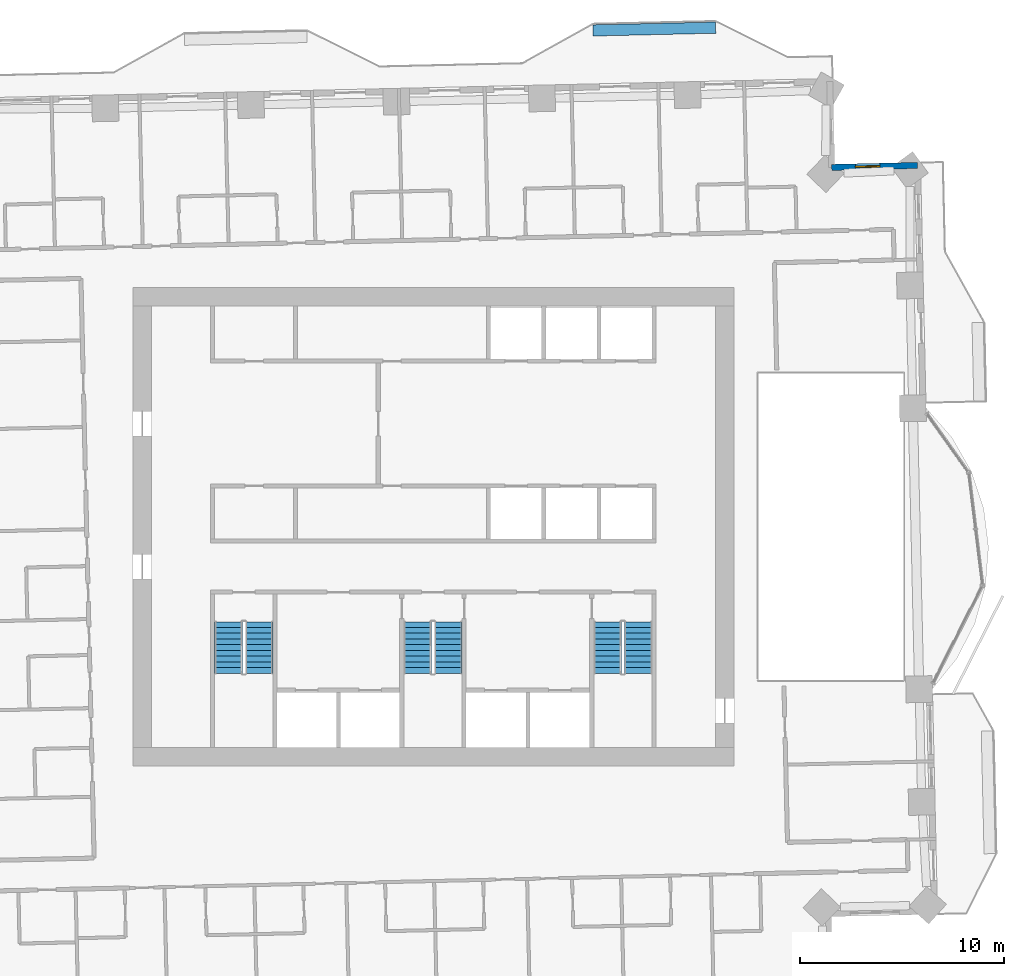
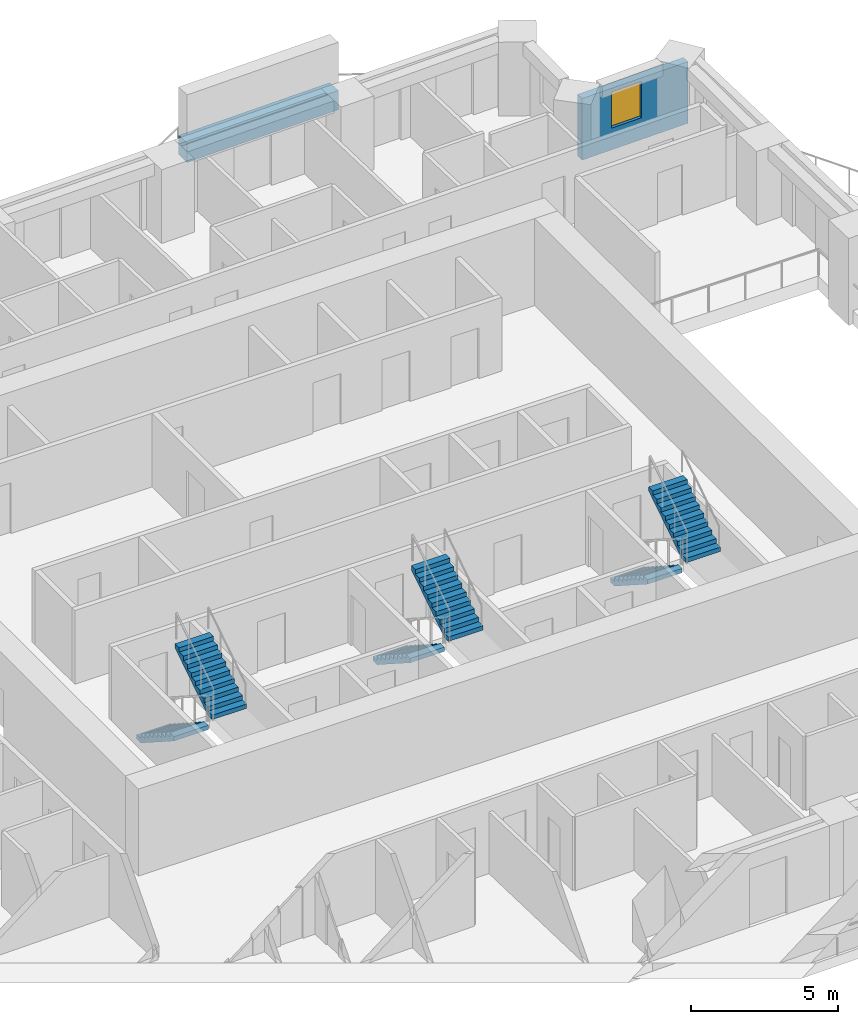
# One storey, part 12 of 16: 6 stair flights, 2 walls, 1 window, 1 opening, 3 elements without a shape of their own.
"""IFC4 building model written with IfcOpenShell, lengths in metres."""

from ifc_helpers import new_model, si_unit, direction, frame, frame_2d, origin, place, context, subcontext, project, spatial, polyline, rectangle, outline, extrude, material, layer, layer_set, type_object, element, fill, aggregate, save


model = new_model("IFC4")

# Units and contexts
model_context = context("Model", 3, precision=1e-05, world=origin(), true_north=direction((0.0, 1.0)))
body_context = subcontext(model_context, "Body", "Model", "MODEL_VIEW")
ifc_project = project(units=[si_unit("LENGTHUNIT", "METRE"), si_unit("AREAUNIT", "SQUARE_METRE"), si_unit("VOLUMEUNIT", "CUBIC_METRE"), si_unit("PLANEANGLEUNIT", "RADIAN"), si_unit("MASSUNIT", "GRAM", prefix="KILO")], contexts=[model_context])

# Site, building, storey
site_placement = place(None, origin())
site = spatial("IfcSite", under=ifc_project, at=site_placement, CompositionType="ELEMENT")
building_placement = place(site_placement, origin())
building = spatial("IfcBuilding", under=site, at=building_placement, Name="Mangrove Gate Tower", CompositionType="ELEMENT")
storey_placement = place(building_placement, frame((0.0, 0.0, 144.5)))
storey = spatial("IfcBuildingStorey", under=building, at=storey_placement, Name="L36", CompositionType="ELEMENT", Elevation=144.5)

# Wall, opening, window
ifc_material_1 = material(Name="Limestone", Category="masonry")
ifc_layer_1 = layer(ifc_material_1, 0.0400390625, Name="Limestone cladding")
ifc_material_2 = material(Name="Ventilated air gap")
ifc_layer_2 = layer(ifc_material_2, 0.0400390625, Name="Ventilated cavity")
ifc_material_3 = material(Name="Mineral wool insulation")
ifc_layer_3 = layer(ifc_material_3, 0.06005859375, Name="Insulation")
ifc_material_4 = material(Name="Breather membrane")
ifc_layer_4 = layer(ifc_material_4, 0.001953125, Name="Breather membrane")
ifc_material_5 = material(Name="Concrete C20/25 blockwork", Category="masonry")
ifc_layer_5 = layer(ifc_material_5, 0.14990234375, Name="Blockwork backing wall")
ifc_material_6 = material(Name="Gypsum plaster")
ifc_layer_6 = layer(ifc_material_6, 0.008056640625, Name="Internal plaster")
ifc_layer_set_1 = layer_set([ifc_layer_1, ifc_layer_2, ifc_layer_3, ifc_layer_4, ifc_layer_5, ifc_layer_6], Name="External wall 300 limestone cladding")
wall_type_1 = type_object("IfcWallType", Name="External wall 300 limestone cladding", PredefinedType="SOLIDWALL", material=ifc_layer_set_1)
wall_1_placement = place(storey_placement, frame((23.68994140625, 17.678955078125, 0.0), z_axis=(0.0, 0.0, 1.0), x_axis=(-0.999739037152, -0.022844202663, 0.0)))
wall_1 = element("IfcWall", 1, at=wall_1_placement, inside=storey, type_object=wall_type_1, Name="WALL-L36-N3", PredefinedType="SOLIDWALL", context=body_context, shape_type="SweptSolid", body=[
    extrude(rectangle(XDim=4.199951171875, YDim=0.300048828125, at=frame_2d((2.10009765625, 0.0))), origin(), (0.0, 0.0, 1.0), 2.550048828125),
])
opening_placement = place(wall_1_placement, frame((1.839111328125, 0.0, 0.89990234375)))
opening = element("IfcOpeningElement", 2, at=opening_placement, cuts=wall_1, Name="Opening W1", PredefinedType="OPENING", context=body_context, shape_type="SweptSolid", body=[
    extrude(rectangle(XDim=1.199951171875, YDim=1.5, at=frame_2d((0.60009765625, 0.75))), frame((0.0, 0.159912109375, 0.0), z_axis=(0.0, -1.0, 0.0), x_axis=(1.0, 0.0, 0.0)), (0.0, 0.0, 1.0), 0.320068359375),
])
ifc_material_7 = material(Name="Aluminium frame with double-glazed low-e glass", Category="aluminium")
window_type = type_object("IfcWindowType", Name="Side lite 1200x1500", PartitioningType="SINGLE_PANEL", PredefinedType="WINDOW", material=ifc_material_7)
window_placement = place(opening_placement, origin())
window = element("IfcWindow", 3, at=window_placement, inside=storey, type_object=window_type, Name="WIN-L36-N3-1", OverallHeight=1.5, OverallWidth=1.199951171875, PartitioningType="SINGLE_PANEL", PredefinedType="WINDOW", context=body_context, shape_type="SweptSolid", body=[
    extrude(rectangle(XDim=1.199951171875, YDim=1.5, at=frame_2d((0.60009765625, 0.75))), frame((0.0, 0.030029296875, 0.0), z_axis=(0.0, -1.0, 0.0), x_axis=(1.0, 0.0, 0.0)), (0.0, 0.0, 1.0), 0.06005859375),
])
fill(opening, window)

# Wall
ifc_material_8 = material(Name="Concrete C32/40", Category="concrete")
ifc_layer_7 = layer(ifc_material_8, 0.199951171875, Name="Planter trough wall")
ifc_material_9 = material(Name="Bituminous waterproofing membrane")
ifc_layer_8 = layer(ifc_material_9, 0.0048828125, Name="Waterproofing")
ifc_material_10 = material(Name="Drainage board and gravel")
ifc_layer_9 = layer(ifc_material_10, 0.044921875, Name="Drainage layer")
ifc_material_11 = material(Name="Planting soil")
ifc_layer_10 = layer(ifc_material_11, 0.300048828125, Name="Growing medium")
ifc_layer_set_2 = layer_set([ifc_layer_7, ifc_layer_8, ifc_layer_9, ifc_layer_10], Name="Planter wall 550 C32/40")
wall_type_2 = type_object("IfcWallType", Name="Planter wall 550 C32/40", PredefinedType="USERDEFINED", material=ifc_layer_set_2)
wall_2_placement = place(storey_placement, frame((7.81396484375, 24.284912109375, 0.0), z_axis=(0.0, 0.0, 1.0), x_axis=(0.999743094499, 0.022665943652, 0.0)))
element("IfcWall", 4, at=wall_2_placement, inside=storey, type_object=wall_type_2, Name="PLANTER L36 N0.1", ObjectType="PLANTER", PredefinedType="USERDEFINED", context=body_context, shape_type="SweptSolid", body=[
    extrude(rectangle(XDim=5.99951171875, YDim=0.550048828125, at=frame_2d((2.999755859375, 0.0))), origin(), (0.0, 0.0, 1.0), 0.800048828125),
])

# Stair, stair flights
ifc_material_12 = material(Name="Concrete C40/50", Category="concrete")
stair_type = type_object("IfcStairType", Name="Core stair 1350", PredefinedType="HALF_TURN_STAIR", material=ifc_material_12)
stair_1_placement = place(storey_placement, origin())
stair_1 = element("IfcStair", 5, at=stair_1_placement, inside=storey, type_object=stair_type, Name="L36 Stair 1", PredefinedType="HALF_TURN_STAIR")
ifc_material_13 = material(Name="Concrete C40/50", Category="concrete")
stair_flight_type = type_object("IfcStairFlightType", Name="Core stair flight 1350", PredefinedType="STRAIGHT", material=ifc_material_13)
stair_flight_1_placement = place(storey_placement, frame((-10.02490234375, -4.64990234375, 0.0), z_axis=(0.0, 0.0, 1.0), x_axis=(0.0, -1.0, 0.0)))
stair_flight_1 = element("IfcStairFlight", 6, at=stair_flight_1_placement, type_object=stair_flight_type, Name="ST1 flight 1", NumberOfRisers=10, NumberOfTreads=9, PredefinedType="STRAIGHT", RiserHeight=0.18, TreadLength=0.28, context=body_context, shape_type="SweptSolid", body=[
    extrude(outline(polyline([(0.0, 0.0), (0.0, 0.179931640625), (0.280029296875, 0.179931640625), (0.280029296875, 0.360107421875), (0.56005859375, 0.360107421875), (0.56005859375, 0.5400390625), (0.840087890625, 0.5400390625), (0.840087890625, 0.719970703125), (1.1201171875, 0.719970703125), (1.1201171875, 0.89990234375), (1.39990234375, 0.89990234375), (1.39990234375, 1.080078125), (1.679931640625, 1.080078125), (1.679931640625, 1.260009765625), (1.9599609375, 1.260009765625), (1.9599609375, 1.43994140625), (2.239990234375, 1.43994140625), (2.239990234375, 1.6201171875), (2.52001953125, 1.6201171875), (2.52001953125, 1.800048828125), (2.52001953125, 1.44189453125), (0.277099609375, 0.0), (0.0, 0.0)])), frame((0.0, 0.675048828125, 0.0), z_axis=(0.0, -1.0, 0.0), x_axis=(1.0, 0.0, 0.0)), (0.0, 0.0, 1.0), 1.35009765625),
])
stair_flight_2_placement = place(storey_placement, frame((-8.52490234375, -7.169921875, 1.800048828125), z_axis=(0.0, 0.0, 1.0), x_axis=(0.0, 1.0, 0.0)))
stair_flight_2 = element("IfcStairFlight", 7, at=stair_flight_2_placement, type_object=stair_flight_type, Name="ST1 flight 2", NumberOfRisers=10, NumberOfTreads=9, PredefinedType="STRAIGHT", RiserHeight=0.18, TreadLength=0.28, context=body_context, shape_type="SweptSolid", body=[
    extrude(outline(polyline([(0.0, 0.0), (0.0, 0.179931640625), (0.280029296875, 0.179931640625), (0.280029296875, 0.360107421875), (0.56005859375, 0.360107421875), (0.56005859375, 0.5400390625), (0.840087890625, 0.5400390625), (0.840087890625, 0.719970703125), (1.1201171875, 0.719970703125), (1.1201171875, 0.89990234375), (1.39990234375, 0.89990234375), (1.39990234375, 1.080078125), (1.679931640625, 1.080078125), (1.679931640625, 1.260009765625), (1.9599609375, 1.260009765625), (1.9599609375, 1.43994140625), (2.239990234375, 1.43994140625), (2.239990234375, 1.6201171875), (2.52001953125, 1.6201171875), (2.52001953125, 1.800048828125), (2.52001953125, 1.44189453125), (0.277099609375, 0.0), (0.0, 0.0)])), frame((0.0, 0.675048828125, 0.0), z_axis=(0.0, -1.0, 0.0), x_axis=(1.0, 0.0, 0.0)), (0.0, 0.0, 1.0), 1.35009765625),
])
aggregate(stair_1, [stair_flight_1, stair_flight_2])

stair_2_placement = place(storey_placement, origin())
stair_2 = element("IfcStair", 8, at=stair_2_placement, inside=storey, type_object=stair_type, Name="L36 Stair 2", PredefinedType="HALF_TURN_STAIR")
stair_flight_3_placement = place(storey_placement, frame((-0.77490234375, -4.64990234375, 0.0), z_axis=(0.0, 0.0, 1.0), x_axis=(0.0, -1.0, 0.0)))
stair_flight_3 = element("IfcStairFlight", 9, at=stair_flight_3_placement, type_object=stair_flight_type, Name="ST2 flight 1", NumberOfRisers=10, NumberOfTreads=9, PredefinedType="STRAIGHT", RiserHeight=0.18, TreadLength=0.28, context=body_context, shape_type="SweptSolid", body=[
    extrude(outline(polyline([(0.0, 0.0), (0.0, 0.179931640625), (0.280029296875, 0.179931640625), (0.280029296875, 0.360107421875), (0.56005859375, 0.360107421875), (0.56005859375, 0.5400390625), (0.840087890625, 0.5400390625), (0.840087890625, 0.719970703125), (1.1201171875, 0.719970703125), (1.1201171875, 0.89990234375), (1.39990234375, 0.89990234375), (1.39990234375, 1.080078125), (1.679931640625, 1.080078125), (1.679931640625, 1.260009765625), (1.9599609375, 1.260009765625), (1.9599609375, 1.43994140625), (2.239990234375, 1.43994140625), (2.239990234375, 1.6201171875), (2.52001953125, 1.6201171875), (2.52001953125, 1.800048828125), (2.52001953125, 1.44189453125), (0.277099609375, 0.0), (0.0, 0.0)])), frame((0.0, 0.675048828125, 0.0), z_axis=(0.0, -1.0, 0.0), x_axis=(1.0, 0.0, 0.0)), (0.0, 0.0, 1.0), 1.35009765625),
])
stair_flight_4_placement = place(storey_placement, frame((0.72509765625, -7.169921875, 1.800048828125), z_axis=(0.0, 0.0, 1.0), x_axis=(0.0, 1.0, 0.0)))
stair_flight_4 = element("IfcStairFlight", 10, at=stair_flight_4_placement, type_object=stair_flight_type, Name="ST2 flight 2", NumberOfRisers=10, NumberOfTreads=9, PredefinedType="STRAIGHT", RiserHeight=0.18, TreadLength=0.28, context=body_context, shape_type="SweptSolid", body=[
    extrude(outline(polyline([(0.0, 0.0), (0.0, 0.179931640625), (0.280029296875, 0.179931640625), (0.280029296875, 0.360107421875), (0.56005859375, 0.360107421875), (0.56005859375, 0.5400390625), (0.840087890625, 0.5400390625), (0.840087890625, 0.719970703125), (1.1201171875, 0.719970703125), (1.1201171875, 0.89990234375), (1.39990234375, 0.89990234375), (1.39990234375, 1.080078125), (1.679931640625, 1.080078125), (1.679931640625, 1.260009765625), (1.9599609375, 1.260009765625), (1.9599609375, 1.43994140625), (2.239990234375, 1.43994140625), (2.239990234375, 1.6201171875), (2.52001953125, 1.6201171875), (2.52001953125, 1.800048828125), (2.52001953125, 1.44189453125), (0.277099609375, 0.0), (0.0, 0.0)])), frame((0.0, 0.675048828125, 0.0), z_axis=(0.0, -1.0, 0.0), x_axis=(1.0, 0.0, 0.0)), (0.0, 0.0, 1.0), 1.35009765625),
])
aggregate(stair_2, [stair_flight_3, stair_flight_4])

stair_3_placement = place(storey_placement, origin())
stair_3 = element("IfcStair", 11, at=stair_3_placement, inside=storey, type_object=stair_type, Name="L36 Stair 3", PredefinedType="HALF_TURN_STAIR")
stair_flight_5_placement = place(storey_placement, frame((8.52490234375, -4.64990234375, 0.0), z_axis=(0.0, 0.0, 1.0), x_axis=(0.0, -1.0, 0.0)))
stair_flight_5 = element("IfcStairFlight", 12, at=stair_flight_5_placement, type_object=stair_flight_type, Name="ST3 flight 1", NumberOfRisers=10, NumberOfTreads=9, PredefinedType="STRAIGHT", RiserHeight=0.18, TreadLength=0.28, context=body_context, shape_type="SweptSolid", body=[
    extrude(outline(polyline([(0.0, 0.0), (0.0, 0.179931640625), (0.280029296875, 0.179931640625), (0.280029296875, 0.360107421875), (0.56005859375, 0.360107421875), (0.56005859375, 0.5400390625), (0.840087890625, 0.5400390625), (0.840087890625, 0.719970703125), (1.1201171875, 0.719970703125), (1.1201171875, 0.89990234375), (1.39990234375, 0.89990234375), (1.39990234375, 1.080078125), (1.679931640625, 1.080078125), (1.679931640625, 1.260009765625), (1.9599609375, 1.260009765625), (1.9599609375, 1.43994140625), (2.239990234375, 1.43994140625), (2.239990234375, 1.6201171875), (2.52001953125, 1.6201171875), (2.52001953125, 1.800048828125), (2.52001953125, 1.44189453125), (0.277099609375, 0.0), (0.0, 0.0)])), frame((0.0, 0.675048828125, 0.0), z_axis=(0.0, -1.0, 0.0), x_axis=(1.0, 0.0, 0.0)), (0.0, 0.0, 1.0), 1.35009765625),
])
stair_flight_6_placement = place(storey_placement, frame((10.02490234375, -7.169921875, 1.800048828125), z_axis=(0.0, 0.0, 1.0), x_axis=(0.0, 1.0, 0.0)))
stair_flight_6 = element("IfcStairFlight", 13, at=stair_flight_6_placement, type_object=stair_flight_type, Name="ST3 flight 2", NumberOfRisers=10, NumberOfTreads=9, PredefinedType="STRAIGHT", RiserHeight=0.18, TreadLength=0.28, context=body_context, shape_type="SweptSolid", body=[
    extrude(outline(polyline([(0.0, 0.0), (0.0, 0.179931640625), (0.280029296875, 0.179931640625), (0.280029296875, 0.360107421875), (0.56005859375, 0.360107421875), (0.56005859375, 0.5400390625), (0.840087890625, 0.5400390625), (0.840087890625, 0.719970703125), (1.1201171875, 0.719970703125), (1.1201171875, 0.89990234375), (1.39990234375, 0.89990234375), (1.39990234375, 1.080078125), (1.679931640625, 1.080078125), (1.679931640625, 1.260009765625), (1.9599609375, 1.260009765625), (1.9599609375, 1.43994140625), (2.239990234375, 1.43994140625), (2.239990234375, 1.6201171875), (2.52001953125, 1.6201171875), (2.52001953125, 1.800048828125), (2.52001953125, 1.44189453125), (0.277099609375, 0.0), (0.0, 0.0)])), frame((0.0, 0.675048828125, 0.0), z_axis=(0.0, -1.0, 0.0), x_axis=(1.0, 0.0, 0.0)), (0.0, 0.0, 1.0), 1.35009765625),
])
aggregate(stair_3, [stair_flight_5, stair_flight_6])

save(model, "model.ifc")
